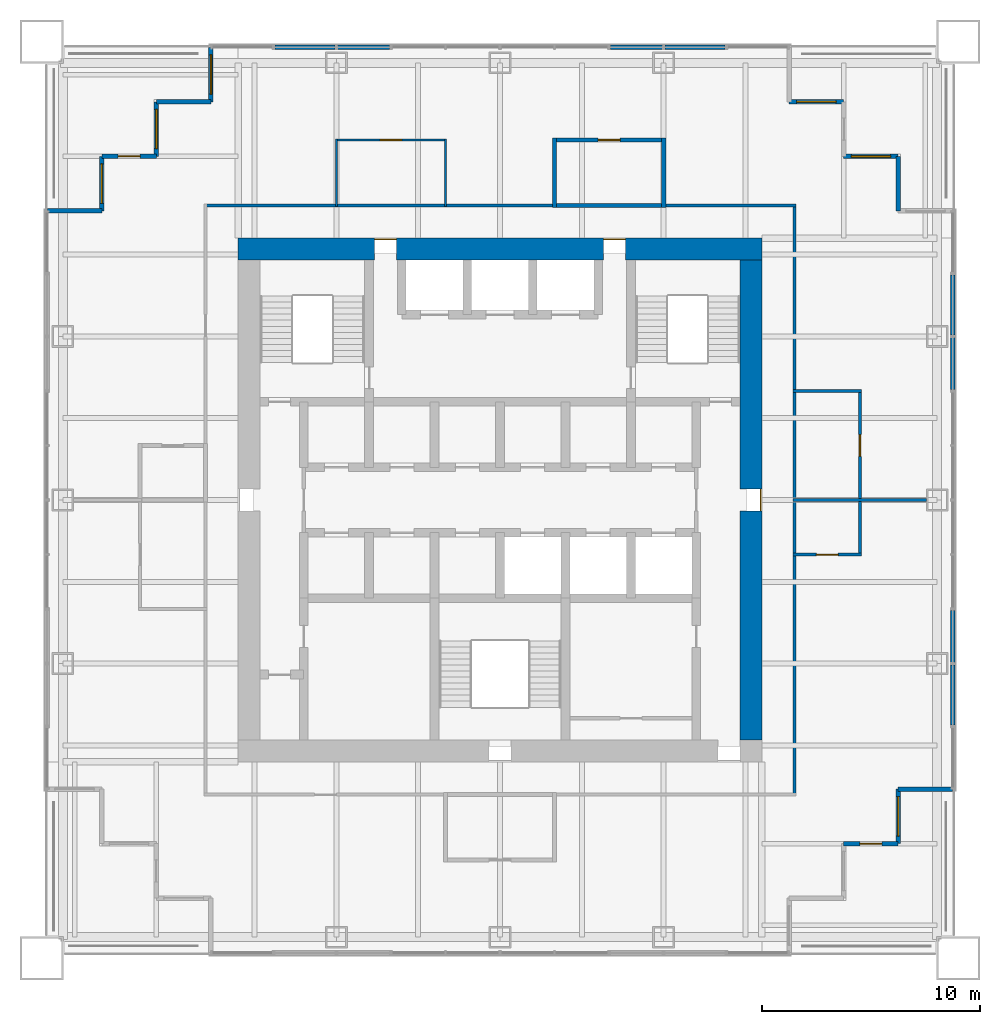
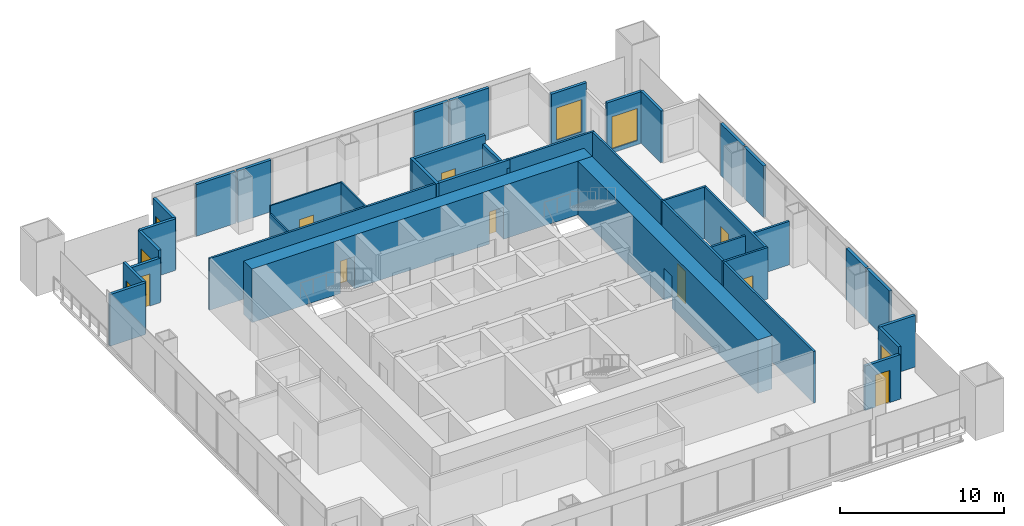
# One storey, part 11 of 14: 36 walls, 9 doors, 6 windows, 15 openings.
"""IFC4 building model written with IfcOpenShell, lengths in metres."""

from ifc_helpers import new_model, si_unit, direction, frame, frame_2d, origin, place, context, subcontext, project, spatial, rectangle, extrude, material, layer, layer_set, type_object, element, fill, save


model = new_model("IFC4")

# Units and contexts
model_context = context("Model", 3, precision=1e-05, world=origin(), true_north=direction((0.0, 1.0)))
body_context = subcontext(model_context, "Body", "Model", "MODEL_VIEW")
ifc_project = project(units=[si_unit("LENGTHUNIT", "METRE"), si_unit("AREAUNIT", "SQUARE_METRE"), si_unit("VOLUMEUNIT", "CUBIC_METRE"), si_unit("PLANEANGLEUNIT", "RADIAN"), si_unit("MASSUNIT", "GRAM", prefix="KILO")], contexts=[model_context])

# Site, building, storey
site_placement = place(None, origin())
site = spatial("IfcSite", under=ifc_project, at=site_placement, CompositionType="ELEMENT")
building_placement = place(site_placement, origin())
building = spatial("IfcBuilding", under=site, at=building_placement, Name="Tarangal Relay Tower", CompositionType="ELEMENT")
storey_placement = place(building_placement, frame((0.0, 0.0, 283.89990234375)))
storey = spatial("IfcBuildingStorey", under=building, at=storey_placement, Name="L62", CompositionType="ELEMENT", Elevation=283.89990234375)

# Wall
ifc_material_1 = material(Name="Two layers gypsum board each side on twin steel studs, mineral wool", Category="steel")
ifc_layer_1 = layer(ifc_material_1, 0.199951171875)
ifc_layer_set_1 = layer_set([ifc_layer_1], Name="Acoustic partition 200")
wall_type_1 = type_object("IfcWallType", Name="Acoustic partition 200", PredefinedType="PARTITIONING", material=ifc_layer_set_1)
wall_1_placement = place(storey_placement, frame((2.39990234375, 13.5, 0.0), z_axis=(0.0, 0.0, 1.0), x_axis=(1.0, 0.0, 0.0)))
element("IfcWall", 1, at=wall_1_placement, inside=storey, type_object=wall_type_1, Name="Partition PT2 L62", PredefinedType="PARTITIONING", context=body_context, shape_type="SweptSolid", body=[
    extrude(rectangle(XDim=5.2001953125, YDim=0.199951171875, at=frame_2d((2.60009765625, 0.0))), origin(), (0.0, 0.0, 1.0), 3.85009765625),
])

# Wall, opening, door
wall_2_placement = place(storey_placement, frame((2.39990234375, 16.5, 0.0), z_axis=(0.0, 0.0, 1.0), x_axis=(1.0, 0.0, 0.0)))
wall_2 = element("IfcWall", 2, at=wall_2_placement, inside=storey, type_object=wall_type_1, Name="Partition PT2 L62", PredefinedType="PARTITIONING", context=body_context, shape_type="SweptSolid", body=[
    extrude(rectangle(XDim=5.2001953125, YDim=0.199951171875, at=frame_2d((2.60009765625, 0.0))), origin(), (0.0, 0.0, 1.0), 3.85009765625),
])
opening_1_placement = place(wall_2_placement, frame((2.10009765625, 0.0, 0.0)))
opening_1 = element("IfcOpeningElement", 3, at=opening_1_placement, cuts=wall_2, Name="Opening D2", PredefinedType="OPENING", context=body_context, shape_type="SweptSolid", body=[
    extrude(rectangle(XDim=1.0, YDim=2.10009765625, at=frame_2d((0.5, 1.050048828125))), frame((0.0, 0.10986328125, 0.0), z_axis=(0.0, -1.0, 0.0), x_axis=(1.0, 0.0, 0.0)), (0.0, 0.0, 1.0), 0.219970703125),
])
ifc_material_2 = material(Name="Hardwood door", Category="wood")
door_type_1 = type_object("IfcDoorType", Name="Door 1000 x 2100", OperationType="SINGLE_SWING_LEFT", PredefinedType="DOOR", material=ifc_material_2)
door_1_placement = place(opening_1_placement, origin())
door_1 = element("IfcDoor", 4, at=door_1_placement, inside=storey, type_object=door_type_1, Name="Door D2 to quiet room L62-03", OperationType="SINGLE_SWING_LEFT", OverallHeight=2.10009765625, OverallWidth=1.0, PredefinedType="DOOR", context=body_context, shape_type="SweptSolid", body=[
    extrude(rectangle(XDim=1.0, YDim=2.10009765625, at=frame_2d((0.5, 1.050048828125))), frame((0.0, 0.02490234375, 0.0), z_axis=(0.0, -1.0, 0.0), x_axis=(1.0, 0.0, 0.0)), (0.0, 0.0, 1.0), 0.050048828125),
])
fill(opening_1, door_1)

# Walls
wall_3_placement = place(storey_placement, frame((2.5, 13.39990234375, 0.0), z_axis=(0.0, 0.0, 1.0), x_axis=(0.0, 1.0, 0.0)))
element("IfcWall", 5, at=wall_3_placement, inside=storey, type_object=wall_type_1, Name="Partition PT2 L62", PredefinedType="PARTITIONING", context=body_context, shape_type="SweptSolid", body=[
    extrude(rectangle(XDim=3.2001953125, YDim=0.199951171875, at=frame_2d((1.60009765625, 0.0))), origin(), (0.0, 0.0, 1.0), 3.85009765625),
])
wall_4_placement = place(storey_placement, frame((7.5, 13.39990234375, 0.0), z_axis=(0.0, 0.0, 1.0), x_axis=(0.0, 1.0, 0.0)))
element("IfcWall", 6, at=wall_4_placement, inside=storey, type_object=wall_type_1, Name="Partition PT2 L62", PredefinedType="PARTITIONING", context=body_context, shape_type="SweptSolid", body=[
    extrude(rectangle(XDim=3.2001953125, YDim=0.199951171875, at=frame_2d((1.60009765625, 0.0))), origin(), (0.0, 0.0, 1.0), 3.2431640625),
])

# Wall, openings, doors
ifc_material_3 = material(Name="Concrete fc' 60 MPa", Category="concrete")
ifc_layer_2 = layer(ifc_material_3, 1.0)
ifc_layer_set_2 = layer_set([ifc_layer_2], Name="Core wall 1000")
wall_type_2 = type_object("IfcWallType", Name="Core wall 1000", PredefinedType="SHEAR", material=ifc_layer_set_2)
wall_5_placement = place(storey_placement, frame((-12.0, 11.5, 0.0), z_axis=(0.0, 0.0, 1.0), x_axis=(1.0, 0.0, 0.0)))
wall_5 = element("IfcWall", 7, at=wall_5_placement, inside=storey, type_object=wall_type_2, Name="Core wall N L62", PredefinedType="SHEAR", context=body_context, shape_type="SweptSolid", body=[
    extrude(rectangle(XDim=24.0, YDim=1.0, at=frame_2d((12.0, 0.0))), origin(), (0.0, 0.0, 1.0), 4.0),
])
opening_2_placement = place(wall_5_placement, frame((6.25, 0.0, 0.0)))
opening_2 = element("IfcOpeningElement", 8, at=opening_2_placement, cuts=wall_5, Name="Opening FD3", PredefinedType="OPENING", context=body_context, shape_type="SweptSolid", body=[
    extrude(rectangle(XDim=1.0, YDim=2.39990234375, at=frame_2d((0.5, 1.199951171875))), frame((0.0, 0.510009765625, 0.0), z_axis=(0.0, -1.0, 0.0), x_axis=(1.0, 0.0, 0.0)), (0.0, 0.0, 1.0), 1.02001953125),
])
opening_3_placement = place(wall_5_placement, frame((16.75, 0.0, 0.0)))
opening_3 = element("IfcOpeningElement", 9, at=opening_3_placement, cuts=wall_5, Name="Opening FD3", PredefinedType="OPENING", context=body_context, shape_type="SweptSolid", body=[
    extrude(rectangle(XDim=1.0, YDim=2.39990234375, at=frame_2d((0.5, 1.199951171875))), frame((0.0, 0.510009765625, 0.0), z_axis=(0.0, -1.0, 0.0), x_axis=(1.0, 0.0, 0.0)), (0.0, 0.0, 1.0), 1.02001953125),
])
ifc_material_4 = material(Name="Steel door with hardwood frame", Category="steel")
door_type_2 = type_object("IfcDoorType", Name="Fire door 1000 x 2400 core entry", OperationType="SINGLE_SWING_RIGHT", PredefinedType="DOOR", material=ifc_material_4)
door_2_placement = place(opening_2_placement, origin())
door_2 = element("IfcDoor", 10, at=door_2_placement, inside=storey, type_object=door_type_2, Name="Core entry door north west L62", OperationType="SINGLE_SWING_RIGHT", OverallHeight=2.39990234375, OverallWidth=1.0, PredefinedType="DOOR", context=body_context, shape_type="SweptSolid", body=[
    extrude(rectangle(XDim=1.0, YDim=2.39990234375, at=frame_2d((0.5, 1.199951171875))), frame((0.0, 0.48486328125, 0.0), z_axis=(0.0, -1.0, 0.0), x_axis=(1.0, 0.0, 0.0)), (0.0, 0.0, 1.0), 0.050048828125),
])
fill(opening_2, door_2)
door_3_placement = place(opening_3_placement, origin())
door_3 = element("IfcDoor", 11, at=door_3_placement, inside=storey, type_object=door_type_2, Name="Core entry door north east L62", OperationType="SINGLE_SWING_RIGHT", OverallHeight=2.39990234375, OverallWidth=1.0, PredefinedType="DOOR", context=body_context, shape_type="SweptSolid", body=[
    extrude(rectangle(XDim=1.0, YDim=2.39990234375, at=frame_2d((0.5, 1.199951171875))), frame((0.0, 0.48486328125, 0.0), z_axis=(0.0, -1.0, 0.0), x_axis=(1.0, 0.0, 0.0)), (0.0, 0.0, 1.0), 0.050048828125),
])
fill(opening_3, door_3)

# Wall, opening, door
wall_6_placement = place(storey_placement, frame((11.5, 11.0, 0.0), z_axis=(0.0, 0.0, 1.0), x_axis=(0.0, -1.0, 0.0)))
wall_6 = element("IfcWall", 12, at=wall_6_placement, inside=storey, type_object=wall_type_2, Name="Core wall E L62", PredefinedType="SHEAR", context=body_context, shape_type="SweptSolid", body=[
    extrude(rectangle(XDim=22.0, YDim=1.0, at=frame_2d((11.0, 0.0))), origin(), (0.0, 0.0, 1.0), 4.0),
])
opening_4_placement = place(wall_6_placement, frame((10.5, 0.0, 0.0)))
opening_4 = element("IfcOpeningElement", 13, at=opening_4_placement, cuts=wall_6, Name="Opening FD3", PredefinedType="OPENING", context=body_context, shape_type="SweptSolid", body=[
    extrude(rectangle(XDim=1.0, YDim=2.39990234375, at=frame_2d((0.5, 1.199951171875))), frame((0.0, 0.510009765625, 0.0), z_axis=(0.0, -1.0, 0.0), x_axis=(1.0, 0.0, 0.0)), (0.0, 0.0, 1.0), 1.02001953125),
])
door_4_placement = place(opening_4_placement, origin())
door_4 = element("IfcDoor", 14, at=door_4_placement, inside=storey, type_object=door_type_2, Name="Core entry door east L62", OperationType="SINGLE_SWING_RIGHT", OverallHeight=2.39990234375, OverallWidth=1.0, PredefinedType="DOOR", context=body_context, shape_type="SweptSolid", body=[
    extrude(rectangle(XDim=1.0, YDim=2.39990234375, at=frame_2d((0.5, 1.199951171875))), frame((0.0, 0.48486328125, 0.0), z_axis=(0.0, -1.0, 0.0), x_axis=(1.0, 0.0, 0.0)), (0.0, 0.0, 1.0), 0.050048828125),
])
fill(opening_4, door_4)

# Wall, opening, window
ifc_material_5 = material(Name="Black metal clad insulated wall", Category="steel")
ifc_layer_3 = layer(ifc_material_5, 0.199951171875)
ifc_layer_set_3 = layer_set([ifc_layer_3], Name="Corner wall metal clad 200")
wall_type_3 = type_object("IfcWallType", Name="Corner wall metal clad 200", PredefinedType="SOLIDWALL", material=ifc_layer_set_3)
wall_7_placement = place(storey_placement, frame((13.25, 18.25, 0.0), z_axis=(0.0, 0.0, 1.0), x_axis=(1.0, 0.0, 0.0)))
wall_7 = element("IfcWall", 15, at=wall_7_placement, inside=storey, type_object=wall_type_3, Name="Facade wall N facade L62", PredefinedType="SOLIDWALL", context=body_context, shape_type="SweptSolid", body=[
    extrude(rectangle(XDim=2.5, YDim=0.199951171875, at=frame_2d((1.25, 0.0))), origin(), (0.0, 0.0, 1.0), 3.85009765625),
])
opening_5_placement = place(wall_7_placement, frame((0.35009765625, 0.0, 0.300048828125)))
opening_5 = element("IfcOpeningElement", 16, at=opening_5_placement, cuts=wall_7, Name="Opening WN2", PredefinedType="OPENING", context=body_context, shape_type="SweptSolid", body=[
    extrude(rectangle(XDim=1.800048828125, YDim=2.39990234375, at=frame_2d((0.89990234375, 1.199951171875))), frame((0.0, 0.10986328125, 0.0), z_axis=(0.0, -1.0, 0.0), x_axis=(1.0, 0.0, 0.0)), (0.0, 0.0, 1.0), 0.219970703125),
])
ifc_material_6 = material(Name="Dark tinted double glazing in black aluminium frame", Category="aluminium")
window_type = type_object("IfcWindowType", Name="Corner window 1800 x 2400", PartitioningType="SINGLE_PANEL", PredefinedType="WINDOW", material=ifc_material_6)
window_1_placement = place(opening_5_placement, origin())
window_1 = element("IfcWindow", 17, at=window_1_placement, inside=storey, type_object=window_type, Name="Corner window WN2 N facade L62", OverallHeight=2.39990234375, OverallWidth=1.800048828125, PartitioningType="SINGLE_PANEL", PredefinedType="WINDOW", context=body_context, shape_type="SweptSolid", body=[
    extrude(rectangle(XDim=1.800048828125, YDim=2.39990234375, at=frame_2d((0.89990234375, 1.199951171875))), frame((0.0, 0.030029296875, 0.0), z_axis=(0.0, -1.0, 0.0), x_axis=(1.0, 0.0, 0.0)), (0.0, 0.0, 1.0), 0.06005859375),
])
fill(opening_5, window_1)

wall_8_placement = place(storey_placement, frame((15.75, 15.75, 0.0), z_axis=(0.0, 0.0, 1.0), x_axis=(1.0, 0.0, 0.0)))
wall_8 = element("IfcWall", 18, at=wall_8_placement, inside=storey, type_object=wall_type_3, Name="Facade wall N facade L62", PredefinedType="SOLIDWALL", context=body_context, shape_type="SweptSolid", body=[
    extrude(rectangle(XDim=2.5, YDim=0.199951171875, at=frame_2d((1.25, 0.0))), origin(), (0.0, 0.0, 1.0), 3.85009765625),
])
opening_6_placement = place(wall_8_placement, frame((0.35009765625, 0.0, 0.300048828125)))
opening_6 = element("IfcOpeningElement", 19, at=opening_6_placement, cuts=wall_8, Name="Opening WN2", PredefinedType="OPENING", context=body_context, shape_type="SweptSolid", body=[
    extrude(rectangle(XDim=1.800048828125, YDim=2.39990234375, at=frame_2d((0.89990234375, 1.199951171875))), frame((0.0, 0.10986328125, 0.0), z_axis=(0.0, -1.0, 0.0), x_axis=(1.0, 0.0, 0.0)), (0.0, 0.0, 1.0), 0.219970703125),
])
window_2_placement = place(opening_6_placement, origin())
window_2 = element("IfcWindow", 20, at=window_2_placement, inside=storey, type_object=window_type, Name="Corner window WN2 N facade L62", OverallHeight=2.39990234375, OverallWidth=1.800048828125, PartitioningType="SINGLE_PANEL", PredefinedType="WINDOW", context=body_context, shape_type="SweptSolid", body=[
    extrude(rectangle(XDim=1.800048828125, YDim=2.39990234375, at=frame_2d((0.89990234375, 1.199951171875))), frame((0.0, 0.030029296875, 0.0), z_axis=(0.0, -1.0, 0.0), x_axis=(1.0, 0.0, 0.0)), (0.0, 0.0, 1.0), 0.06005859375),
])
fill(opening_6, window_2)

# Walls
for number, where, z_axis, x_axis, name in (
    (21, (18.25, 15.75, 0.0), (0.0, 0.0, 1.0), (0.0, -1.0, 0.0), "Facade wall N facade L62"),
    (22, (20.75, -13.25, 0.0), (0.0, 0.0, 1.0), (-1.0, 0.0, 0.0), "Facade wall E facade L62"),
):
    element("IfcWall", number, at=place(storey_placement, frame(where, z_axis=z_axis, x_axis=x_axis)), inside=storey, type_object=wall_type_3, Name=name, PredefinedType="SOLIDWALL", context=body_context, shape_type="SweptSolid", body=[
        extrude(rectangle(XDim=2.5, YDim=0.199951171875, at=frame_2d((1.25, 0.0))), origin(), (0.0, 0.0, 1.0), 3.85009765625),
    ])

# Wall, opening, window
wall_9_placement = place(storey_placement, frame((18.25, -13.25, 0.0), z_axis=(0.0, 0.0, 1.0), x_axis=(0.0, -1.0, 0.0)))
wall_9 = element("IfcWall", 23, at=wall_9_placement, inside=storey, type_object=wall_type_3, Name="Facade wall E facade L62", PredefinedType="SOLIDWALL", context=body_context, shape_type="SweptSolid", body=[
    extrude(rectangle(XDim=2.5, YDim=0.199951171875, at=frame_2d((1.25, 0.0))), origin(), (0.0, 0.0, 1.0), 3.85009765625),
])
opening_7_placement = place(wall_9_placement, frame((0.35009765625, 0.0, 0.300048828125)))
opening_7 = element("IfcOpeningElement", 24, at=opening_7_placement, cuts=wall_9, Name="Opening WN2", PredefinedType="OPENING", context=body_context, shape_type="SweptSolid", body=[
    extrude(rectangle(XDim=1.800048828125, YDim=2.39990234375, at=frame_2d((0.89990234375, 1.199951171875))), frame((0.0, 0.10986328125, 0.0), z_axis=(0.0, -1.0, 0.0), x_axis=(1.0, 0.0, 0.0)), (0.0, 0.0, 1.0), 0.219970703125),
])
window_3_placement = place(opening_7_placement, origin())
window_3 = element("IfcWindow", 25, at=window_3_placement, inside=storey, type_object=window_type, Name="Corner window WN2 E facade L62", OverallHeight=2.39990234375, OverallWidth=1.800048828125, PartitioningType="SINGLE_PANEL", PredefinedType="WINDOW", context=body_context, shape_type="SweptSolid", body=[
    extrude(rectangle(XDim=1.800048828125, YDim=2.39990234375, at=frame_2d((0.89990234375, 1.199951171875))), frame((0.0, 0.030029296875, 0.0), z_axis=(0.0, -1.0, 0.0), x_axis=(1.0, 0.0, 0.0)), (0.0, 0.0, 1.0), 0.06005859375),
])
fill(opening_7, window_3)

# Wall, opening, door
wall_10_placement = place(storey_placement, frame((18.25, -15.75, 0.0), z_axis=(0.0, 0.0, 1.0), x_axis=(-1.0, 0.0, 0.0)))
wall_10 = element("IfcWall", 26, at=wall_10_placement, inside=storey, type_object=wall_type_3, Name="Facade wall E facade L62", PredefinedType="SOLIDWALL", context=body_context, shape_type="SweptSolid", body=[
    extrude(rectangle(XDim=2.5, YDim=0.199951171875, at=frame_2d((1.25, 0.0))), origin(), (0.0, 0.0, 1.0), 3.316650390625),
])
opening_8_placement = place(wall_10_placement, frame((0.75, 0.0, 0.0)))
opening_8 = element("IfcOpeningElement", 27, at=opening_8_placement, cuts=wall_10, Name="Opening TD1", PredefinedType="OPENING", context=body_context, shape_type="SweptSolid", body=[
    extrude(rectangle(XDim=1.0, YDim=2.39990234375, at=frame_2d((0.5, 1.199951171875))), frame((0.0, 0.10986328125, 0.0), z_axis=(0.0, -1.0, 0.0), x_axis=(1.0, 0.0, 0.0)), (0.0, 0.0, 1.0), 0.219970703125),
])
ifc_material_7 = material(Name="Aluminium glazed door", Category="aluminium")
door_type_3 = type_object("IfcDoorType", Name="Terrace door 1000 x 2400", OperationType="SINGLE_SWING_RIGHT", PredefinedType="DOOR", material=ifc_material_7)
door_5_placement = place(opening_8_placement, origin())
door_5 = element("IfcDoor", 28, at=door_5_placement, inside=storey, type_object=door_type_3, Name="Terrace door TD1 SE L62", OperationType="SINGLE_SWING_RIGHT", OverallHeight=2.39990234375, OverallWidth=1.0, PredefinedType="DOOR", context=body_context, shape_type="SweptSolid", body=[
    extrude(rectangle(XDim=1.0, YDim=2.39990234375, at=frame_2d((0.5, 1.199951171875))), frame((0.0, 0.02490234375, 0.0), z_axis=(0.0, -1.0, 0.0), x_axis=(1.0, 0.0, 0.0)), (0.0, 0.0, 1.0), 0.050048828125),
])
fill(opening_8, door_5)

# Wall
wall_11_placement = place(storey_placement, frame((-20.75, 13.25, 0.0), z_axis=(0.0, 0.0, 1.0), x_axis=(1.0, 0.0, 0.0)))
element("IfcWall", 29, at=wall_11_placement, inside=storey, type_object=wall_type_3, Name="Facade wall W facade L62", PredefinedType="SOLIDWALL", context=body_context, shape_type="SweptSolid", body=[
    extrude(rectangle(XDim=2.5, YDim=0.199951171875, at=frame_2d((1.25, 0.0))), origin(), (0.0, 0.0, 1.0), 3.85009765625),
])

# Wall, opening, window
wall_12_placement = place(storey_placement, frame((-18.25, 13.25, 0.0), z_axis=(0.0, 0.0, 1.0), x_axis=(0.0, 1.0, 0.0)))
wall_12 = element("IfcWall", 30, at=wall_12_placement, inside=storey, type_object=wall_type_3, Name="Facade wall W facade L62", PredefinedType="SOLIDWALL", context=body_context, shape_type="SweptSolid", body=[
    extrude(rectangle(XDim=2.5, YDim=0.199951171875, at=frame_2d((1.25, 0.0))), origin(), (0.0, 0.0, 1.0), 3.85009765625),
])
opening_9_placement = place(wall_12_placement, frame((0.35009765625, 0.0, 0.300048828125)))
opening_9 = element("IfcOpeningElement", 31, at=opening_9_placement, cuts=wall_12, Name="Opening WN2", PredefinedType="OPENING", context=body_context, shape_type="SweptSolid", body=[
    extrude(rectangle(XDim=1.800048828125, YDim=2.39990234375, at=frame_2d((0.89990234375, 1.199951171875))), frame((0.0, 0.10986328125, 0.0), z_axis=(0.0, -1.0, 0.0), x_axis=(1.0, 0.0, 0.0)), (0.0, 0.0, 1.0), 0.219970703125),
])
window_4_placement = place(opening_9_placement, origin())
window_4 = element("IfcWindow", 32, at=window_4_placement, inside=storey, type_object=window_type, Name="Corner window WN2 W facade L62", OverallHeight=2.39990234375, OverallWidth=1.800048828125, PartitioningType="SINGLE_PANEL", PredefinedType="WINDOW", context=body_context, shape_type="SweptSolid", body=[
    extrude(rectangle(XDim=1.800048828125, YDim=2.39990234375, at=frame_2d((0.89990234375, 1.199951171875))), frame((0.0, 0.030029296875, 0.0), z_axis=(0.0, -1.0, 0.0), x_axis=(1.0, 0.0, 0.0)), (0.0, 0.0, 1.0), 0.06005859375),
])
fill(opening_9, window_4)

# Wall, opening, door
wall_13_placement = place(storey_placement, frame((-18.25, 15.75, 0.0), z_axis=(0.0, 0.0, 1.0), x_axis=(1.0, 0.0, 0.0)))
wall_13 = element("IfcWall", 33, at=wall_13_placement, inside=storey, type_object=wall_type_3, Name="Facade wall W facade L62", PredefinedType="SOLIDWALL", context=body_context, shape_type="SweptSolid", body=[
    extrude(rectangle(XDim=2.5, YDim=0.199951171875, at=frame_2d((1.25, 0.0))), origin(), (0.0, 0.0, 1.0), 3.316650390625),
])
opening_10_placement = place(wall_13_placement, frame((0.75, 0.0, 0.0)))
opening_10 = element("IfcOpeningElement", 34, at=opening_10_placement, cuts=wall_13, Name="Opening TD1", PredefinedType="OPENING", context=body_context, shape_type="SweptSolid", body=[
    extrude(rectangle(XDim=1.0, YDim=2.39990234375, at=frame_2d((0.5, 1.199951171875))), frame((0.0, 0.10986328125, 0.0), z_axis=(0.0, -1.0, 0.0), x_axis=(1.0, 0.0, 0.0)), (0.0, 0.0, 1.0), 0.219970703125),
])
door_6_placement = place(opening_10_placement, origin())
door_6 = element("IfcDoor", 35, at=door_6_placement, inside=storey, type_object=door_type_3, Name="Terrace door TD1 NW L62", OperationType="SINGLE_SWING_RIGHT", OverallHeight=2.39990234375, OverallWidth=1.0, PredefinedType="DOOR", context=body_context, shape_type="SweptSolid", body=[
    extrude(rectangle(XDim=1.0, YDim=2.39990234375, at=frame_2d((0.5, 1.199951171875))), frame((0.0, 0.02490234375, 0.0), z_axis=(0.0, -1.0, 0.0), x_axis=(1.0, 0.0, 0.0)), (0.0, 0.0, 1.0), 0.050048828125),
])
fill(opening_10, door_6)

# Wall, opening, window
wall_14_placement = place(storey_placement, frame((-15.75, 15.75, 0.0), z_axis=(0.0, 0.0, 1.0), x_axis=(0.0, 1.0, 0.0)))
wall_14 = element("IfcWall", 36, at=wall_14_placement, inside=storey, type_object=wall_type_3, Name="Facade wall W facade L62", PredefinedType="SOLIDWALL", context=body_context, shape_type="SweptSolid", body=[
    extrude(rectangle(XDim=2.5, YDim=0.199951171875, at=frame_2d((1.25, 0.0))), origin(), (0.0, 0.0, 1.0), 3.85009765625),
])
opening_11_placement = place(wall_14_placement, frame((0.35009765625, 0.0, 0.300048828125)))
opening_11 = element("IfcOpeningElement", 37, at=opening_11_placement, cuts=wall_14, Name="Opening WN2", PredefinedType="OPENING", context=body_context, shape_type="SweptSolid", body=[
    extrude(rectangle(XDim=1.800048828125, YDim=2.39990234375, at=frame_2d((0.89990234375, 1.199951171875))), frame((0.0, 0.10986328125, 0.0), z_axis=(0.0, -1.0, 0.0), x_axis=(1.0, 0.0, 0.0)), (0.0, 0.0, 1.0), 0.219970703125),
])
window_5_placement = place(opening_11_placement, origin())
window_5 = element("IfcWindow", 38, at=window_5_placement, inside=storey, type_object=window_type, Name="Corner window WN2 W facade L62", OverallHeight=2.39990234375, OverallWidth=1.800048828125, PartitioningType="SINGLE_PANEL", PredefinedType="WINDOW", context=body_context, shape_type="SweptSolid", body=[
    extrude(rectangle(XDim=1.800048828125, YDim=2.39990234375, at=frame_2d((0.89990234375, 1.199951171875))), frame((0.0, 0.030029296875, 0.0), z_axis=(0.0, -1.0, 0.0), x_axis=(1.0, 0.0, 0.0)), (0.0, 0.0, 1.0), 0.06005859375),
])
fill(opening_11, window_5)

# Wall
wall_15_placement = place(storey_placement, frame((-15.75, 18.25, 0.0), z_axis=(0.0, 0.0, 1.0), x_axis=(1.0, 0.0, 0.0)))
element("IfcWall", 39, at=wall_15_placement, inside=storey, type_object=wall_type_3, Name="Facade wall W facade L62", PredefinedType="SOLIDWALL", context=body_context, shape_type="SweptSolid", body=[
    extrude(rectangle(XDim=2.5, YDim=0.199951171875, at=frame_2d((1.25, 0.0))), origin(), (0.0, 0.0, 1.0), 3.85009765625),
])

# Wall, opening, window
wall_16_placement = place(storey_placement, frame((-13.25, 18.25, 0.0), z_axis=(0.0, 0.0, 1.0), x_axis=(0.0, 1.0, 0.0)))
wall_16 = element("IfcWall", 40, at=wall_16_placement, inside=storey, type_object=wall_type_3, Name="Facade wall W facade L62", PredefinedType="SOLIDWALL", context=body_context, shape_type="SweptSolid", body=[
    extrude(rectangle(XDim=2.5, YDim=0.199951171875, at=frame_2d((1.25, 0.0))), origin(), (0.0, 0.0, 1.0), 3.85009765625),
])
opening_12_placement = place(wall_16_placement, frame((0.35009765625, 0.0, 0.300048828125)))
opening_12 = element("IfcOpeningElement", 41, at=opening_12_placement, cuts=wall_16, Name="Opening WN2", PredefinedType="OPENING", context=body_context, shape_type="SweptSolid", body=[
    extrude(rectangle(XDim=1.800048828125, YDim=2.39990234375, at=frame_2d((0.89990234375, 1.199951171875))), frame((0.0, 0.10986328125, 0.0), z_axis=(0.0, -1.0, 0.0), x_axis=(1.0, 0.0, 0.0)), (0.0, 0.0, 1.0), 0.219970703125),
])
window_6_placement = place(opening_12_placement, origin())
window_6 = element("IfcWindow", 42, at=window_6_placement, inside=storey, type_object=window_type, Name="Corner window WN2 W facade L62", OverallHeight=2.39990234375, OverallWidth=1.800048828125, PartitioningType="SINGLE_PANEL", PredefinedType="WINDOW", context=body_context, shape_type="SweptSolid", body=[
    extrude(rectangle(XDim=1.800048828125, YDim=2.39990234375, at=frame_2d((0.89990234375, 1.199951171875))), frame((0.0, 0.030029296875, 0.0), z_axis=(0.0, -1.0, 0.0), x_axis=(1.0, 0.0, 0.0)), (0.0, 0.0, 1.0), 0.06005859375),
])
fill(opening_12, window_6)

# Walls
ifc_layer_4 = layer(ifc_material_5, 0.199951171875)
ifc_layer_set_4 = layer_set([ifc_layer_4], Name="Facade infill wall metal clad 200")
wall_type_4 = type_object("IfcWallType", Name="Facade infill wall metal clad 200", PredefinedType="SOLIDWALL", material=ifc_layer_set_4)
wall_17_placement = place(storey_placement, frame((-10.31494140625, 20.75, 0.0), z_axis=(0.0, 0.0, 1.0), x_axis=(1.0, 0.0, 0.0)))
element("IfcWall", 43, at=wall_17_placement, inside=storey, type_object=wall_type_4, Name="Facade infill wall N facade L62 1.1", PredefinedType="SOLIDWALL", context=body_context, shape_type="SweptSolid", body=[
    extrude(rectangle(XDim=2.7548828125, YDim=0.199951171875, at=frame_2d((1.37744140625, 0.0))), origin(), (0.0, 0.0, 1.0), 3.85009765625),
])
for number, where, z_axis, x_axis, name in (
    (44, (-7.43994140625, 20.75, 0.0), (0.0, 0.0, 1.0), (1.0, 0.0, 0.0), "Facade infill wall N facade L62 1.1"),
    (45, (5.06005859375, 20.75, 0.0), (0.0, 0.0, 1.0), (1.0, 0.0, 0.0), "Facade infill wall N facade L62 1.1"),
):
    element("IfcWall", number, at=place(storey_placement, frame(where, z_axis=z_axis, x_axis=x_axis)), inside=storey, type_object=wall_type_4, Name=name, PredefinedType="SOLIDWALL", context=body_context, shape_type="SweptSolid", body=[
        extrude(rectangle(XDim=2.3798828125, YDim=0.199951171875, at=frame_2d((1.18994140625, 0.0))), origin(), (0.0, 0.0, 1.0), 3.85009765625),
    ])
for number, where, z_axis, x_axis, name in (
    (46, (7.56005859375, 20.75, 0.0), (0.0, 0.0, 1.0), (1.0, 0.0, 0.0), "Facade infill wall N facade L62 1.1"),
    (47, (20.75, 10.31494140625, 0.0), (0.0, 0.0, 1.0), (0.0, -1.0, 0.0), "Facade infill wall E facade L62 1.1"),
):
    element("IfcWall", number, at=place(storey_placement, frame(where, z_axis=z_axis, x_axis=x_axis)), inside=storey, type_object=wall_type_4, Name=name, PredefinedType="SOLIDWALL", context=body_context, shape_type="SweptSolid", body=[
        extrude(rectangle(XDim=2.7548828125, YDim=0.199951171875, at=frame_2d((1.37744140625, 0.0))), origin(), (0.0, 0.0, 1.0), 3.85009765625),
    ])
for number, where, z_axis, x_axis, name in (
    (48, (20.75, 7.43994140625, 0.0), (0.0, 0.0, 1.0), (0.0, -1.0, 0.0), "Facade infill wall E facade L62 1.1"),
    (49, (20.75, -5.06005859375, 0.0), (0.0, 0.0, 1.0), (0.0, -1.0, 0.0), "Facade infill wall E facade L62 1.1"),
):
    element("IfcWall", number, at=place(storey_placement, frame(where, z_axis=z_axis, x_axis=x_axis)), inside=storey, type_object=wall_type_4, Name=name, PredefinedType="SOLIDWALL", context=body_context, shape_type="SweptSolid", body=[
        extrude(rectangle(XDim=2.3798828125, YDim=0.199951171875, at=frame_2d((1.18994140625, 0.0))), origin(), (0.0, 0.0, 1.0), 3.85009765625),
    ])
wall_18_placement = place(storey_placement, frame((20.75, -7.56005859375, 0.0), z_axis=(0.0, 0.0, 1.0), x_axis=(0.0, -1.0, 0.0)))
element("IfcWall", 50, at=wall_18_placement, inside=storey, type_object=wall_type_4, Name="Facade infill wall E facade L62 1.1", PredefinedType="SOLIDWALL", context=body_context, shape_type="SweptSolid", body=[
    extrude(rectangle(XDim=2.7548828125, YDim=0.199951171875, at=frame_2d((1.37744140625, 0.0))), origin(), (0.0, 0.0, 1.0), 3.85009765625),
])

# Wall, opening, door
ifc_material_8 = material(Name="Double glazed aluminium framed partition", Category="aluminium")
ifc_layer_5 = layer(ifc_material_8, 0.10009765625)
ifc_layer_set_5 = layer_set([ifc_layer_5], Name="Glazed partition 100")
wall_type_5 = type_object("IfcWallType", Name="Glazed partition 100", PredefinedType="PARTITIONING", material=ifc_layer_set_5)
wall_19_placement = place(storey_placement, frame((-7.550048828125, 16.5, 0.0), z_axis=(0.0, 0.0, 1.0), x_axis=(1.0, 0.0, 0.0)))
wall_19 = element("IfcWall", 51, at=wall_19_placement, inside=storey, type_object=wall_type_5, Name="Partition PT3 L62", PredefinedType="PARTITIONING", context=body_context, shape_type="SweptSolid", body=[
    extrude(rectangle(XDim=5.10009765625, YDim=0.10009765625, at=frame_2d((2.550048828125, 0.0))), origin(), (0.0, 0.0, 1.0), 3.85009765625),
])
opening_13_placement = place(wall_19_placement, frame((2.050048828125, 0.0, 0.0)))
opening_13 = element("IfcOpeningElement", 52, at=opening_13_placement, cuts=wall_19, Name="Opening D3", PredefinedType="OPENING", context=body_context, shape_type="SweptSolid", body=[
    extrude(rectangle(XDim=1.0, YDim=2.10009765625, at=frame_2d((0.5, 1.050048828125))), frame((0.0, 0.06005859375, 0.0), z_axis=(0.0, -1.0, 0.0), x_axis=(1.0, 0.0, 0.0)), (0.0, 0.0, 1.0), 0.1201171875),
])
ifc_material_9 = material(Name="Frameless glass door", Category="glass")
door_type_4 = type_object("IfcDoorType", Name="Glazed door 1000 x 2100", OperationType="SINGLE_SWING_LEFT", PredefinedType="DOOR", material=ifc_material_9)
door_7_placement = place(opening_13_placement, origin())
door_7 = element("IfcDoor", 53, at=door_7_placement, inside=storey, type_object=door_type_4, Name="Door D3 to meeting room L62-02", OperationType="SINGLE_SWING_LEFT", OverallHeight=2.10009765625, OverallWidth=1.0, PredefinedType="DOOR", context=body_context, shape_type="SweptSolid", body=[
    extrude(rectangle(XDim=1.0, YDim=2.10009765625, at=frame_2d((0.5, 1.050048828125))), frame((0.0, 0.02490234375, 0.0), z_axis=(0.0, -1.0, 0.0), x_axis=(1.0, 0.0, 0.0)), (0.0, 0.0, 1.0), 0.050048828125),
])
fill(opening_13, door_7)

# Walls
wall_20_placement = place(storey_placement, frame((-7.5, 13.449951171875, 0.0), z_axis=(0.0, 0.0, 1.0), x_axis=(0.0, 1.0, 0.0)))
element("IfcWall", 54, at=wall_20_placement, inside=storey, type_object=wall_type_5, Name="Partition PT3 L62", PredefinedType="PARTITIONING", context=body_context, shape_type="SweptSolid", body=[
    extrude(rectangle(XDim=3.10009765625, YDim=0.10009765625, at=frame_2d((1.550048828125, 0.0))), origin(), (0.0, 0.0, 1.0), 3.2431640625),
])
wall_21_placement = place(storey_placement, frame((-2.5, 13.449951171875, 0.0), z_axis=(0.0, 0.0, 1.0), x_axis=(0.0, 1.0, 0.0)))
element("IfcWall", 55, at=wall_21_placement, inside=storey, type_object=wall_type_5, Name="Partition PT3 L62", PredefinedType="PARTITIONING", context=body_context, shape_type="SweptSolid", body=[
    extrude(rectangle(XDim=3.10009765625, YDim=0.10009765625, at=frame_2d((1.550048828125, 0.0))), origin(), (0.0, 0.0, 1.0), 3.85009765625),
])

# Wall, opening, door
ifc_material_10 = material(Name="Gypsum board on steel studs", Category="steel")
ifc_layer_6 = layer(ifc_material_10, 0.14990234375)
ifc_layer_set_6 = layer_set([ifc_layer_6], Name="Partition 150")
wall_type_6 = type_object("IfcWallType", Name="Partition 150", PredefinedType="PARTITIONING", material=ifc_layer_set_6)
wall_22_placement = place(storey_placement, frame((13.425048828125, -2.5, 0.0), z_axis=(0.0, 0.0, 1.0), x_axis=(1.0, 0.0, 0.0)))
wall_22 = element("IfcWall", 56, at=wall_22_placement, inside=storey, type_object=wall_type_6, Name="Partition PT1 L62", PredefinedType="PARTITIONING", context=body_context, shape_type="SweptSolid", body=[
    extrude(rectangle(XDim=3.14990234375, YDim=0.14990234375, at=frame_2d((1.574951171875, 0.0))), origin(), (0.0, 0.0, 1.0), 3.85009765625),
])
opening_14_placement = place(wall_22_placement, frame((1.074951171875, 0.0, 0.0)))
opening_14 = element("IfcOpeningElement", 57, at=opening_14_placement, cuts=wall_22, Name="Opening D2", PredefinedType="OPENING", context=body_context, shape_type="SweptSolid", body=[
    extrude(rectangle(XDim=1.0, YDim=2.10009765625, at=frame_2d((0.5, 1.050048828125))), frame((0.0, 0.0849609375, 0.0), z_axis=(0.0, -1.0, 0.0), x_axis=(1.0, 0.0, 0.0)), (0.0, 0.0, 1.0), 0.169921875),
])
door_8_placement = place(opening_14_placement, origin())
door_8 = element("IfcDoor", 58, at=door_8_placement, inside=storey, type_object=door_type_1, Name="Door D2 to print room L62-05", OperationType="SINGLE_SWING_LEFT", OverallHeight=2.10009765625, OverallWidth=1.0, PredefinedType="DOOR", context=body_context, shape_type="SweptSolid", body=[
    extrude(rectangle(XDim=1.0, YDim=2.10009765625, at=frame_2d((0.5, 1.050048828125))), frame((0.0, 0.02490234375, 0.0), z_axis=(0.0, -1.0, 0.0), x_axis=(1.0, 0.0, 0.0)), (0.0, 0.0, 1.0), 0.050048828125),
])
fill(opening_14, door_8)

# Walls
wall_23_placement = place(storey_placement, frame((13.425048828125, 0.0, 0.0), z_axis=(0.0, 0.0, 1.0), x_axis=(1.0, 0.0, 0.0)))
element("IfcWall", 59, at=wall_23_placement, inside=storey, type_object=wall_type_6, Name="Partition PT1 L62", PredefinedType="PARTITIONING", context=body_context, shape_type="SweptSolid", body=[
    extrude(rectangle(XDim=6.114990234375, YDim=0.14990234375, at=frame_2d((3.0576171875, 0.0))), origin(), (0.0, 0.0, 1.0), 3.2431640625),
])
wall_24_placement = place(storey_placement, frame((13.425048828125, 5.0, 0.0), z_axis=(0.0, 0.0, 1.0), x_axis=(1.0, 0.0, 0.0)))
element("IfcWall", 60, at=wall_24_placement, inside=storey, type_object=wall_type_6, Name="Partition PT1 L62", PredefinedType="PARTITIONING", context=body_context, shape_type="SweptSolid", body=[
    extrude(rectangle(XDim=3.14990234375, YDim=0.14990234375, at=frame_2d((1.574951171875, 0.0))), origin(), (0.0, 0.0, 1.0), 3.85009765625),
])
wall_25_placement = place(storey_placement, frame((-13.574951171875, 13.5, 0.0), z_axis=(0.0, 0.0, 1.0), x_axis=(1.0, 0.0, 0.0)))
element("IfcWall", 61, at=wall_25_placement, inside=storey, type_object=wall_type_6, Name="Partition PT1 L62", PredefinedType="PARTITIONING", context=body_context, shape_type="SweptSolid", body=[
    extrude(rectangle(XDim=16.14990234375, YDim=0.14990234375, at=frame_2d((8.074951171875, 0.0))), origin(), (0.0, 0.0, 1.0), 3.85009765625),
])
wall_26_placement = place(storey_placement, frame((7.425048828125, 13.5, 0.0), z_axis=(0.0, 0.0, 1.0), x_axis=(1.0, 0.0, 0.0)))
element("IfcWall", 62, at=wall_26_placement, inside=storey, type_object=wall_type_6, Name="Partition PT1 L62", PredefinedType="PARTITIONING", context=body_context, shape_type="SweptSolid", body=[
    extrude(rectangle(XDim=6.14990234375, YDim=0.14990234375, at=frame_2d((3.074951171875, 0.0))), origin(), (0.0, 0.0, 1.0), 3.85009765625),
])
wall_27_placement = place(storey_placement, frame((13.5, -13.574951171875, 0.0), z_axis=(0.0, 0.0, 1.0), x_axis=(0.0, 1.0, 0.0)))
element("IfcWall", 63, at=wall_27_placement, inside=storey, type_object=wall_type_6, Name="Partition PT1 L62", PredefinedType="PARTITIONING", context=body_context, shape_type="SweptSolid", body=[
    extrude(rectangle(XDim=27.14990234375, YDim=0.14990234375, at=frame_2d((13.574951171875, 0.0))), origin(), (0.0, 0.0, 1.0), 3.85009765625),
])

# Wall, opening, door
wall_28_placement = place(storey_placement, frame((16.5, -2.574951171875, 0.0), z_axis=(0.0, 0.0, 1.0), x_axis=(0.0, 1.0, 0.0)))
wall_28 = element("IfcWall", 64, at=wall_28_placement, inside=storey, type_object=wall_type_6, Name="Partition PT1 L62", PredefinedType="PARTITIONING", context=body_context, shape_type="SweptSolid", body=[
    extrude(rectangle(XDim=7.64990234375, YDim=0.14990234375, at=frame_2d((3.824951171875, 0.0))), origin(), (0.0, 0.0, 1.0), 3.85009765625),
])
opening_15_placement = place(wall_28_placement, frame((4.574951171875, 0.0, 0.0)))
opening_15 = element("IfcOpeningElement", 65, at=opening_15_placement, cuts=wall_28, Name="Opening D2", PredefinedType="OPENING", context=body_context, shape_type="SweptSolid", body=[
    extrude(rectangle(XDim=1.0, YDim=2.10009765625, at=frame_2d((0.5, 1.050048828125))), frame((0.0, 0.0849609375, 0.0), z_axis=(0.0, -1.0, 0.0), x_axis=(1.0, 0.0, 0.0)), (0.0, 0.0, 1.0), 0.169921875),
])
door_9_placement = place(opening_15_placement, origin())
door_9 = element("IfcDoor", 66, at=door_9_placement, inside=storey, type_object=door_type_1, Name="Door D2 to cellular office L62-04", OperationType="SINGLE_SWING_LEFT", OverallHeight=2.10009765625, OverallWidth=1.0, PredefinedType="DOOR", context=body_context, shape_type="SweptSolid", body=[
    extrude(rectangle(XDim=1.0, YDim=2.10009765625, at=frame_2d((0.5, 1.050048828125))), frame((0.0, 0.02490234375, 0.0), z_axis=(0.0, -1.0, 0.0), x_axis=(1.0, 0.0, 0.0)), (0.0, 0.0, 1.0), 0.050048828125),
])
fill(opening_15, door_9)

save(model, "model.ifc")
